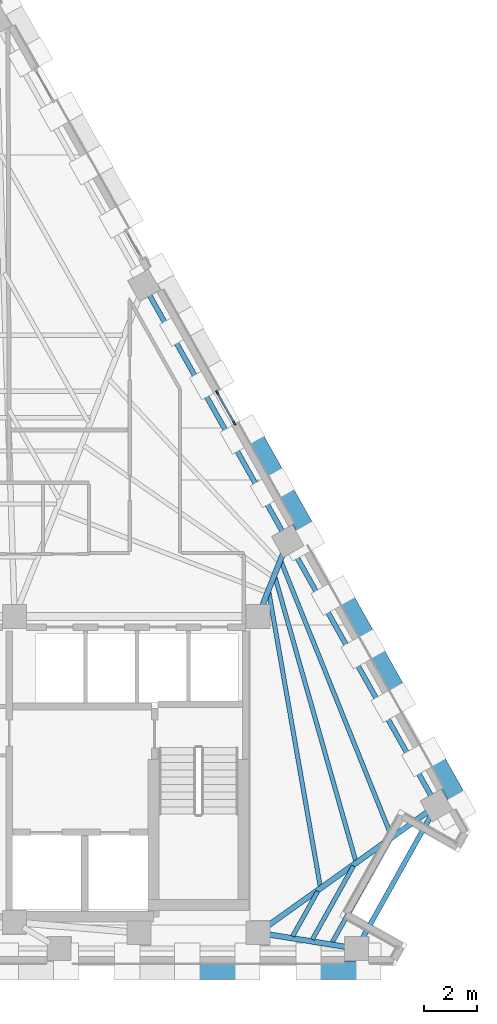
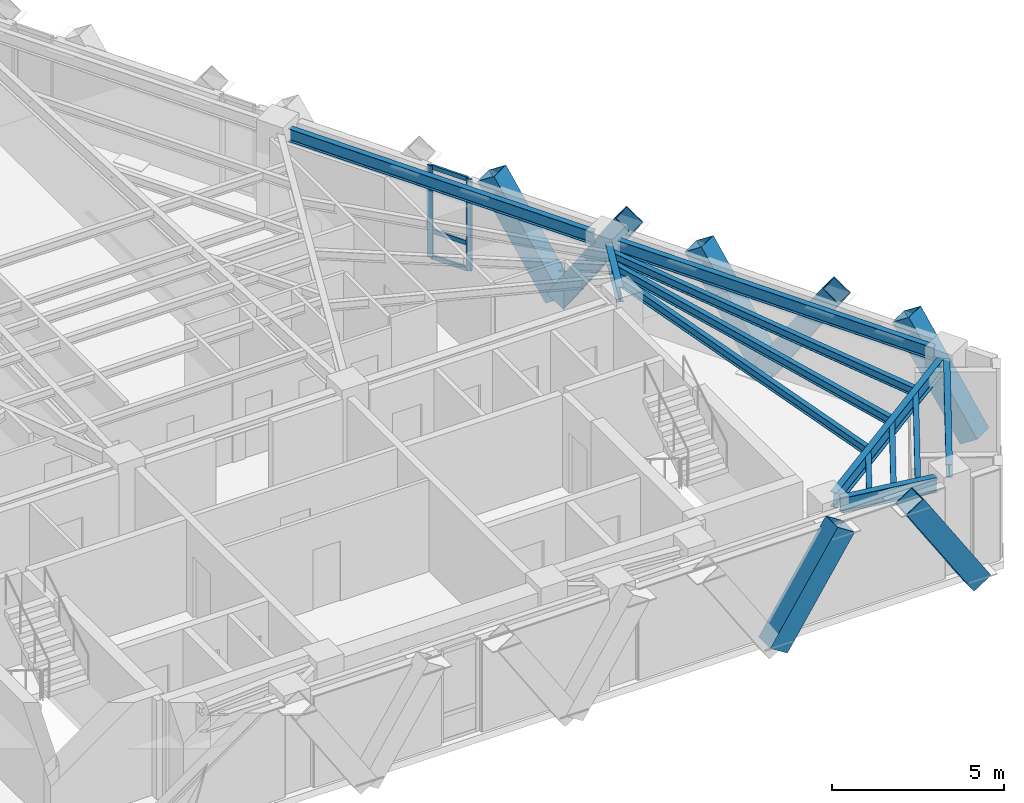
# One storey, part 4 of 12: 12 beams, 12 members, 1 element without a shape of its own.
"""IFC4 building model written with IfcOpenShell, lengths in metres."""

from ifc_helpers import new_model, si_unit, direction, frame, origin, origin_2d, place, context, subcontext, project, spatial, rectangle, hollow_rectangle, i_section, extrude, material, material_profile, profile_set, type_object, element, aggregate, save


model = new_model("IFC4")

# Units and contexts
model_context = context("Model", 3, precision=1e-05, world=origin(), true_north=direction((0.0, 1.0)))
body_context = subcontext(model_context, "Body", "Model", "MODEL_VIEW")
ifc_project = project(units=[si_unit("LENGTHUNIT", "METRE"), si_unit("AREAUNIT", "SQUARE_METRE"), si_unit("VOLUMEUNIT", "CUBIC_METRE"), si_unit("PLANEANGLEUNIT", "RADIAN"), si_unit("MASSUNIT", "GRAM", prefix="KILO")], contexts=[model_context])

# Site, building, storey
site_placement = place(None, origin())
site = spatial("IfcSite", under=ifc_project, at=site_placement, CompositionType="ELEMENT")
building_placement = place(site_placement, origin())
building = spatial("IfcBuilding", under=site, at=building_placement, Name="Quenlor Broadcast Tower", CompositionType="ELEMENT")
storey_placement = place(building_placement, frame((0.0, 0.0, 190.39990234375)))
storey = spatial("IfcBuildingStorey", under=building, at=storey_placement, Name="L52", CompositionType="ELEMENT", Elevation=190.39990234375)

# Curtain wall, members
ifc_material_1 = material(Name="Architectural Terracotta and Low-E Glazing", Category="masonry")
curtain_wall_type = type_object("IfcCurtainWallType", Name="Unitised Terracotta Curtain Wall System Z4", PredefinedType="NOTDEFINED", material=ifc_material_1)
curtain_wall_placement = place(storey_placement, origin())
curtain_wall = element("IfcCurtainWall", 1, at=curtain_wall_placement, inside=storey, type_object=curtain_wall_type, Name="L52 Curtain Wall CW4 (L52-NE-G1)", PredefinedType="NOTDEFINED")
ifc_material_2 = material(Name="Aluminium 6063-T6", Category="aluminium")
ifc_material_profile_1 = material_profile(ifc_material_2, rectangle(XDim=0.068115234375, YDim=0.179931640625, at=origin_2d()))
ifc_profile_set_1 = profile_set([ifc_material_profile_1], Name="Aluminium 6063-T6 MULL68x180")
member_type_1 = type_object("IfcMemberType", Name="CW4 Aluminium Mullion MULL_CW4", PredefinedType="MULLION", material=ifc_profile_set_1)
member_1_placement = place(storey_placement, frame((11.408203125, 3.65966796875, 0.0), z_axis=(0.0, 0.0, 1.0), x_axis=(0.871560008943, 0.490288844266, 0.0)))
member_1 = element("IfcMember", 2, at=member_1_placement, type_object=member_type_1, Name="CW4 mullion 1", PredefinedType="MULLION", context=body_context, shape_type="SweptSolid", body=[
    extrude(rectangle(XDim=0.068115234375, YDim=0.179931640625, at=origin_2d()), origin(), (0.0, 0.0, 1.0), 3.25),
])
member_2_placement = place(storey_placement, frame((12.049560546875, 2.519775390625, 0.0), z_axis=(0.0, 0.0, 1.0), x_axis=(0.871560008943, 0.490288844266, 0.0)))
member_2 = element("IfcMember", 3, at=member_2_placement, type_object=member_type_1, Name="CW4 mullion 2", PredefinedType="MULLION", context=body_context, shape_type="SweptSolid", body=[
    extrude(rectangle(XDim=0.068115234375, YDim=0.179931640625, at=origin_2d()), origin(), (0.0, 0.0, 1.0), 3.25),
])
ifc_material_3 = material(Name="Aluminium 6063-T6", Category="aluminium")
ifc_material_profile_2 = material_profile(ifc_material_3, rectangle(XDim=0.068115234375, YDim=0.14990234375, at=origin_2d()))
ifc_profile_set_2 = profile_set([ifc_material_profile_2], Name="Aluminium 6063-T6 TRAN68x150")
member_type_2 = type_object("IfcMemberType", Name="CW4 Aluminium Transom TRAN_CW4", PredefinedType="USERDEFINED", material=ifc_profile_set_2)
member_3_placement = place(storey_placement, frame((11.425048828125, 3.630126953125, 0.0341796875), z_axis=(0.490233197009, -0.871591310506, 0.0), x_axis=(0.871591310506, 0.490233197009, 0.0)))
member_3 = element("IfcMember", 4, at=member_3_placement, type_object=member_type_2, Name="CW4 transom 1.1", ObjectType="TRANSOM", PredefinedType="USERDEFINED", context=body_context, shape_type="SweptSolid", body=[
    extrude(rectangle(XDim=0.068115234375, YDim=0.14990234375, at=origin_2d()), origin(), (0.0, 0.0, 1.0), 1.239990234375),
])
member_4_placement = place(storey_placement, frame((11.425048828125, 3.630126953125, 0.9501953125), z_axis=(0.490233197009, -0.871591310506, 0.0), x_axis=(0.871591310506, 0.490233197009, 0.0)))
member_4 = element("IfcMember", 5, at=member_4_placement, type_object=member_type_2, Name="CW4 transom 1.2", ObjectType="TRANSOM", PredefinedType="USERDEFINED", context=body_context, shape_type="SweptSolid", body=[
    extrude(rectangle(XDim=0.068115234375, YDim=0.14990234375, at=origin_2d()), origin(), (0.0, 0.0, 1.0), 1.239990234375),
])
member_5_placement = place(storey_placement, frame((11.425048828125, 3.630126953125, 3.216064453125), z_axis=(0.490233197009, -0.871591310506, 0.0), x_axis=(0.871591310506, 0.490233197009, 0.0)))
member_5 = element("IfcMember", 6, at=member_5_placement, type_object=member_type_2, Name="CW4 transom 1.3", ObjectType="TRANSOM", PredefinedType="USERDEFINED", context=body_context, shape_type="SweptSolid", body=[
    extrude(rectangle(XDim=0.068115234375, YDim=0.14990234375, at=origin_2d()), origin(), (0.0, 0.0, 1.0), 1.239990234375),
])
aggregate(curtain_wall, [member_1, member_2, member_3, member_4, member_5])

# Members
ifc_material_4 = material(Name="Steel S355", Category="steel")
ifc_material_profile_3 = material_profile(ifc_material_4, hollow_rectangle(XDim=0.679931640625, YDim=0.679931640625, WallThickness=0.02490234375, at=origin_2d()))
ifc_profile_set_3 = profile_set([ifc_material_profile_3], Name="Steel S355 RHS680x680x25")
member_type_3 = type_object("IfcMemberType", Name="Perimeter Diagonal Lattice Brace Z3-Z4 Steel S355 RHS680x25", PredefinedType="BRACE", material=ifc_profile_set_3)
for number, where, z_axis, x_axis, name in (
    (7, (17.1123046875, -18.169921875, -0.119873046875), (-0.541794306908, 0.0, 0.840511111766), (0.0, -1.0, 0.0), "L52 Perimeter Diamond Lattice S-C1S"),
    (8, (10.289306640625, -18.169921875, -0.119873046875), (0.541794306908, 0.0, 0.840511111766), (0.0, 1.0, 0.0), "L52 Perimeter Diamond Lattice S-C1B"),
):
    element("IfcMember", number, at=place(storey_placement, frame(where, z_axis=z_axis, x_axis=x_axis)), inside=storey, type_object=member_type_3, Name=name, PredefinedType="BRACE", context=body_context, shape_type="SweptSolid", body=[
        extrude(hollow_rectangle(XDim=0.679931640625, YDim=0.679931640625, WallThickness=0.02490234375, at=origin_2d()), origin(), (0.0, 0.0, 1.0), 4.1640625),
    ])
for number, where, z_axis, x_axis, name in (
    (9, (13.781005859375, 0.24755859375, -0.119873046875), (-0.269547055694, 0.479136497832, 0.835327840559), (-0.871550060774, -0.49030652817, 0.0), "L52 Perimeter Diamond Lattice NE-C3B"),
    (10, (13.794677734375, 0.22314453125, -0.119873046875), (0.269485495908, -0.479188912076, 0.835317636614), (0.871620820774, 0.490180726664, 0.0), "L52 Perimeter Diamond Lattice NE-C4S"),
    (11, (17.2099609375, -5.8486328125, -0.119873046875), (-0.269547055694, 0.479136497832, 0.835327840559), (-0.871550060774, -0.49030652817, 0.0), "L52 Perimeter Diamond Lattice NE-C4B"),
):
    element("IfcMember", number, at=place(storey_placement, frame(where, z_axis=z_axis, x_axis=x_axis)), inside=storey, type_object=member_type_3, Name=name, PredefinedType="BRACE", context=body_context, shape_type="SweptSolid", body=[
        extrude(hollow_rectangle(XDim=0.679931640625, YDim=0.679931640625, WallThickness=0.02490234375, at=origin_2d()), origin(), (0.0, 0.0, 1.0), 4.18994140625),
    ])
member_6_placement = place(storey_placement, frame((17.2236328125, -5.873046875, -0.119873046875), z_axis=(0.269539530269, -0.479181387144, 0.835304519224), x_axis=(0.871575537125, 0.490261239633, 0.0)))
element("IfcMember", 12, at=member_6_placement, inside=storey, type_object=member_type_3, Name="L52 Perimeter Diamond Lattice NE-C5S", PredefinedType="BRACE", context=body_context, shape_type="SweptSolid", body=[
    extrude(hollow_rectangle(XDim=0.679931640625, YDim=0.679931640625, WallThickness=0.02490234375, at=origin_2d()), origin(), (0.0, 0.0, 1.0), 4.190185546875),
])
member_7_placement = place(storey_placement, frame((20.63916015625, -11.94482421875, -0.119873046875), z_axis=(-0.269547055694, 0.479136497832, 0.835327840559), x_axis=(-0.871550060774, -0.49030652817, 0.0)))
element("IfcMember", 13, at=member_7_placement, inside=storey, type_object=member_type_3, Name="L52 Perimeter Diamond Lattice NE-C5B", PredefinedType="BRACE", context=body_context, shape_type="SweptSolid", body=[
    extrude(hollow_rectangle(XDim=0.679931640625, YDim=0.679931640625, WallThickness=0.02490234375, at=origin_2d()), origin(), (0.0, 0.0, 1.0), 4.18994140625),
])

# Beams
ifc_material_5 = material(Name="Steel S355", Category="steel")
ifc_material_profile_4 = material_profile(ifc_material_5, i_section(OverallWidth=0.18994140625, OverallDepth=0.453857421875, WebThickness=0.008544921875, FlangeThickness=0.0126953125, FilletRadius=0.011474609375, at=origin_2d()))
ifc_profile_set_4 = profile_set([ifc_material_profile_4], Name="Steel S355 460UB67.1")
beam_type_1 = type_object("IfcBeamType", Name="Perimeter Spandrel Beam Z4 Steel S355 460UB67.1", PredefinedType="SPANDREL", material=ifc_profile_set_4)
beam_1_placement = place(storey_placement, frame((16.875732421875, -16.991943359375, 3.023193359375), z_axis=(0.487647250206, 0.8730407547, 0.0), x_axis=(-0.8730407547, 0.487647250206, 0.0)))
element("IfcBeam", 14, at=beam_1_placement, inside=storey, type_object=beam_type_1, Name="L52 Spandrel Beam S4-NE1", PredefinedType="SPANDREL", context=body_context, shape_type="SweptSolid", body=[
    extrude(i_section(OverallWidth=0.18994140625, OverallDepth=0.453857421875, WebThickness=0.008544921875, FlangeThickness=0.0126953125, FilletRadius=0.011474609375, at=origin_2d()), origin(), (0.0, 0.0, 1.0), 5.37451171875),
])
beam_2_placement = place(storey_placement, frame((19.49560546875, -11.58447265625, 3.023193359375), z_axis=(-0.490272131974, 0.871569410093, 0.0), x_axis=(-0.871569410093, -0.490272131974, 0.0)))
element("IfcBeam", 15, at=beam_2_placement, inside=storey, type_object=beam_type_1, Name="L52 Spandrel Beam NE1-NE2", PredefinedType="SPANDREL", context=body_context, shape_type="SweptSolid", body=[
    extrude(i_section(OverallWidth=0.18994140625, OverallDepth=0.453857421875, WebThickness=0.008544921875, FlangeThickness=0.0126953125, FilletRadius=0.011474609375, at=origin_2d()), origin(), (0.0, 0.0, 1.0), 10.6416015625),
])
beam_3_placement = place(storey_placement, frame((13.87646484375, -1.594970703125, 3.023193359375), z_axis=(-0.490263496537, 0.871574267612, 0.0), x_axis=(-0.871574267612, -0.490263496537, 0.0)))
element("IfcBeam", 16, at=beam_3_placement, inside=storey, type_object=beam_type_1, Name="L52 Spandrel Beam NE2-NE3", PredefinedType="SPANDREL", context=body_context, shape_type="SweptSolid", body=[
    extrude(i_section(OverallWidth=0.18994140625, OverallDepth=0.453857421875, WebThickness=0.008544921875, FlangeThickness=0.0126953125, FilletRadius=0.011474609375, at=origin_2d()), origin(), (0.0, 0.0, 1.0), 10.271728515625),
])
ifc_material_6 = material(Name="Steel S355", Category="steel")
ifc_material_profile_5 = material_profile(ifc_material_6, i_section(OverallWidth=0.166015625, OverallDepth=0.30712890625, WebThickness=0.006591796875, FlangeThickness=0.01171875, FilletRadius=0.011474609375, at=origin_2d()))
ifc_profile_set_5 = profile_set([ifc_material_profile_5], Name="Steel S355 310UB46.2")
beam_type_2 = type_object("IfcBeamType", Name="Tower Composite Joist Z4-Z5 Steel S355 310UB46.2", PredefinedType="JOIST", material=ifc_profile_set_5)
beam_4_placement = place(storey_placement, frame((15.297607421875, -14.98828125, 3.096435546875), z_axis=(-0.172003691938, 0.985096304916, 0.0), x_axis=(-0.985096304916, -0.172003691938, 0.0)))
element("IfcBeam", 17, at=beam_4_placement, inside=storey, type_object=beam_type_2, Name="L52 Secondary Composite Joist 16", PredefinedType="JOIST", context=body_context, shape_type="SweptSolid", body=[
    extrude(i_section(OverallWidth=0.166015625, OverallDepth=0.30712890625, WebThickness=0.006591796875, FlangeThickness=0.01171875, FilletRadius=0.011474609375, at=origin_2d()), origin(), (0.0, 0.0, 1.0), 11.274169921875),
])
beam_5_placement = place(storey_placement, frame((16.638671875, -14.028564453125, 3.096435546875), z_axis=(-0.273447576454, 0.961886907558, 0.0), x_axis=(-0.961886907558, -0.273447576454, 0.0)))
element("IfcBeam", 18, at=beam_5_placement, inside=storey, type_object=beam_type_2, Name="L52 Secondary Composite Joist 17", PredefinedType="JOIST", context=body_context, shape_type="SweptSolid", body=[
    extrude(i_section(OverallWidth=0.166015625, OverallDepth=0.30712890625, WebThickness=0.006591796875, FlangeThickness=0.01171875, FilletRadius=0.011474609375, at=origin_2d()), origin(), (0.0, 0.0, 1.0), 11.142333984375),
])
beam_6_placement = place(storey_placement, frame((17.97998046875, -13.069580078125, 3.096435546875), z_axis=(-0.373094895103, 0.927793187757, 0.0), x_axis=(-0.927793187757, -0.373094895103, 0.0)))
element("IfcBeam", 19, at=beam_6_placement, inside=storey, type_object=beam_type_2, Name="L52 Secondary Composite Joist 18", PredefinedType="JOIST", context=body_context, shape_type="SweptSolid", body=[
    extrude(i_section(OverallWidth=0.166015625, OverallDepth=0.30712890625, WebThickness=0.006591796875, FlangeThickness=0.01171875, FilletRadius=0.011474609375, at=origin_2d()), origin(), (0.0, 0.0, 1.0), 11.13525390625),
])
beam_7_placement = place(storey_placement, frame((14.255859375, -16.88427734375, 3.096435546875), z_axis=(0.487590799665, 0.873072283423, 0.0), x_axis=(-0.873072283423, 0.487590799665, 0.0)))
element("IfcBeam", 20, at=beam_7_placement, inside=storey, type_object=beam_type_2, Name="L52 Secondary Composite Joist 22", PredefinedType="JOIST", context=body_context, shape_type="SweptSolid", body=[
    extrude(i_section(OverallWidth=0.166015625, OverallDepth=0.30712890625, WebThickness=0.006591796875, FlangeThickness=0.01171875, FilletRadius=0.011474609375, at=origin_2d()), origin(), (0.0, 0.0, 1.0), 1.9462890625),
])
beam_8_placement = place(storey_placement, frame((15.0009765625, -17.004150390625, 3.096435546875), z_axis=(0.487646119388, 0.87304138633, 0.0), x_axis=(-0.87304138633, 0.487646119388, 0.0)))
element("IfcBeam", 21, at=beam_8_placement, inside=storey, type_object=beam_type_2, Name="L52 Secondary Composite Joist 23", PredefinedType="JOIST", context=body_context, shape_type="SweptSolid", body=[
    extrude(i_section(OverallWidth=0.166015625, OverallDepth=0.30712890625, WebThickness=0.006591796875, FlangeThickness=0.01171875, FilletRadius=0.011474609375, at=origin_2d()), origin(), (0.0, 0.0, 1.0), 3.18505859375),
])
beam_9_placement = place(storey_placement, frame((15.74609375, -17.124267578125, 3.096435546875), z_axis=(0.487604899573, 0.873064408799, 0.0), x_axis=(-0.873064408799, 0.487604899573, 0.0)))
element("IfcBeam", 22, at=beam_9_placement, inside=storey, type_object=beam_type_2, Name="L52 Secondary Composite Joist 24", PredefinedType="JOIST", context=body_context, shape_type="SweptSolid", body=[
    extrude(i_section(OverallWidth=0.166015625, OverallDepth=0.30712890625, WebThickness=0.006591796875, FlangeThickness=0.01171875, FilletRadius=0.011474609375, at=origin_2d()), origin(), (0.0, 0.0, 1.0), 4.424072265625),
])
ifc_material_7 = material(Name="Steel S355", Category="steel")
ifc_material_profile_6 = material_profile(ifc_material_7, i_section(OverallWidth=0.208984375, OverallDepth=0.5283203125, WebThickness=0.009521484375, FlangeThickness=0.01318359375, FilletRadius=0.013916015625, at=origin_2d()))
ifc_profile_set_6 = profile_set([ifc_material_profile_6], Name="Steel S355 530UB82.0")
beam_type_3 = type_object("IfcBeamType", Name="Tower Primary Floor Beam Z4 Steel S355 530UB82.0", PredefinedType="BEAM", material=ifc_profile_set_6)
beam_10_placement = place(storey_placement, frame((16.27099609375, -17.284912109375, 2.986083984375), z_axis=(-0.987268490875, 0.159062650942, 0.0), x_axis=(-0.159062650942, -0.987268490875, 0.0)))
element("IfcBeam", 23, at=beam_10_placement, inside=storey, type_object=beam_type_3, Name="L52 Primary Radial Beam S4", PredefinedType="BEAM", context=body_context, shape_type="SweptSolid", body=[
    extrude(i_section(OverallWidth=0.208984375, OverallDepth=0.5283203125, WebThickness=0.009521484375, FlangeThickness=0.01318359375, FilletRadius=0.013916015625, at=origin_2d()), origin(), (0.0, 0.0, 1.0), 2.98388671875),
])
beam_11_placement = place(storey_placement, frame((19.362548828125, -12.1796875, 2.986083984375), z_axis=(-0.814329531787, -0.580402802938, 0.0), x_axis=(0.580402802938, -0.814329531787, 0.0)))
element("IfcBeam", 24, at=beam_11_placement, inside=storey, type_object=beam_type_3, Name="L52 Primary Radial Beam NE1", PredefinedType="BEAM", context=body_context, shape_type="SweptSolid", body=[
    extrude(i_section(OverallWidth=0.208984375, OverallDepth=0.5283203125, WebThickness=0.009521484375, FlangeThickness=0.01318359375, FilletRadius=0.013916015625, at=origin_2d()), origin(), (0.0, 0.0, 1.0), 7.49462890625),
])
beam_12_placement = place(storey_placement, frame((13.926513671875, -2.33349609375, 2.986083984375), z_axis=(-0.368110359783, -0.92978210513, 0.0), x_axis=(0.92978210513, -0.368110359783, 0.0)))
element("IfcBeam", 25, at=beam_12_placement, inside=storey, type_object=beam_type_3, Name="L52 Primary Radial Beam NE2", PredefinedType="BEAM", context=body_context, shape_type="SweptSolid", body=[
    extrude(i_section(OverallWidth=0.208984375, OverallDepth=0.5283203125, WebThickness=0.009521484375, FlangeThickness=0.01318359375, FilletRadius=0.013916015625, at=origin_2d()), origin(), (0.0, 0.0, 1.0), 2.27294921875),
])

save(model, "model.ifc")
